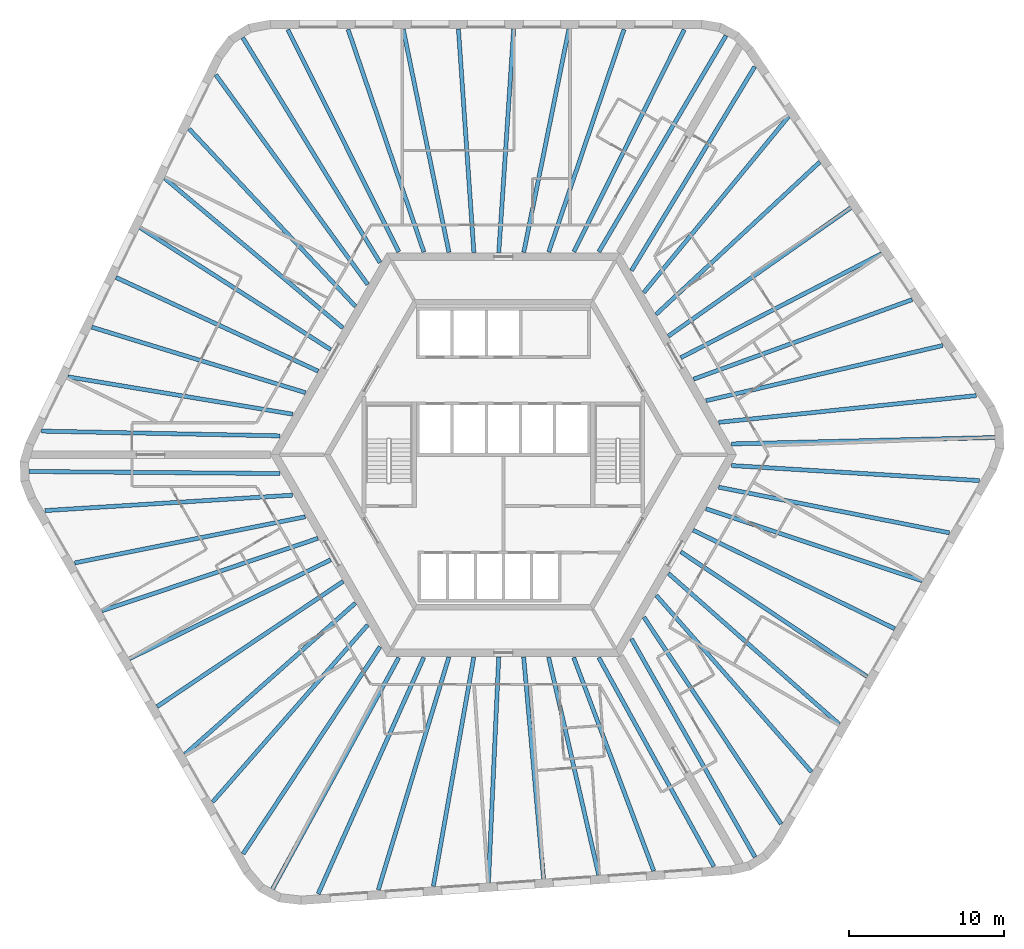
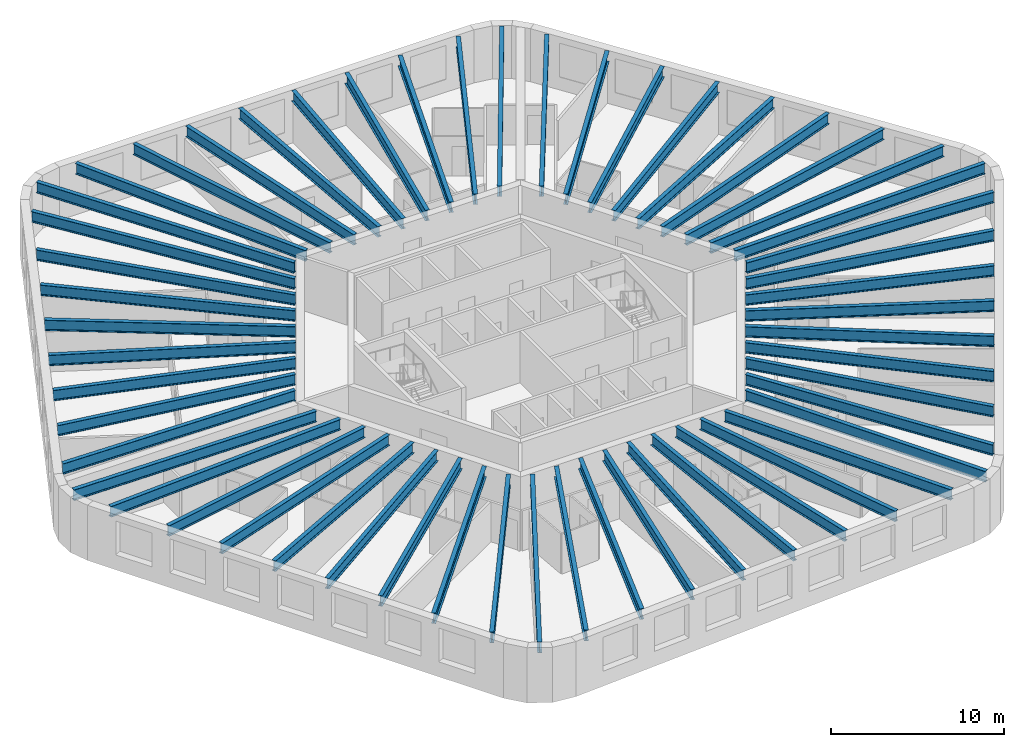
# One storey, part 1 of 10: 54 beams.
"""IFC4 building model written with IfcOpenShell, lengths in metres."""

from ifc_helpers import new_model, si_unit, direction, frame, origin, origin_2d, place, context, subcontext, project, spatial, i_section, extrude, material, material_profile, profile_set, type_object, element, save


model = new_model("IFC4")

# Units and contexts
model_context = context("Model", 3, precision=1e-05, world=origin(), true_north=direction((0.0, 1.0)))
body_context = subcontext(model_context, "Body", "Model", "MODEL_VIEW")
ifc_project = project(units=[si_unit("LENGTHUNIT", "METRE"), si_unit("AREAUNIT", "SQUARE_METRE"), si_unit("VOLUMEUNIT", "CUBIC_METRE"), si_unit("PLANEANGLEUNIT", "RADIAN"), si_unit("MASSUNIT", "GRAM", prefix="KILO")], contexts=[model_context])

# Site, building, storey
site_placement = place(None, origin())
site = spatial("IfcSite", under=ifc_project, at=site_placement, CompositionType="ELEMENT")
building_placement = place(site_placement, origin())
building = spatial("IfcBuilding", under=site, at=building_placement, Name="Tarnside Tower", CompositionType="ELEMENT")
storey_placement = place(building_placement, frame((0.0, 0.0, 160.5)))
storey = spatial("IfcBuildingStorey", under=building, at=storey_placement, Name="L37", CompositionType="ELEMENT", Elevation=160.5)

# Beams
ifc_material = material(Name="Steel S355", Category="steel")
ifc_material_profile_1 = material_profile(ifc_material, i_section(OverallWidth=0.26513671875, OverallDepth=0.75390625, WebThickness=0.0126953125, FlangeThickness=0.017578125, FilletRadius=0.0166015625, at=origin_2d()), Name="UB 762x267x147")
ifc_profile_set_1 = profile_set([ifc_material_profile_1], Name="Steel S355")
beam_type_1 = type_object("IfcBeamType", Name="Floor beam UB 762x267x147", PredefinedType="BEAM", material=ifc_profile_set_1)
beam_1_placement = place(storey_placement, frame((7.77001953125, 27.393310546875, 3.373046875), z_axis=(-0.320362579778, -0.947295000239, 0.0), x_axis=(0.947295000239, -0.320362579778, 0.0)))
element("IfcBeam", 1, at=beam_1_placement, inside=storey, type_object=beam_type_1, Name="Floor beam F1.02", PredefinedType="BEAM", context=body_context, shape_type="SweptSolid", body=[
    extrude(i_section(OverallWidth=0.26513671875, OverallDepth=0.75390625, WebThickness=0.0126953125, FlangeThickness=0.017578125, FilletRadius=0.0166015625, at=origin_2d()), origin(), (0.0, 0.0, 1.0), 15.134033203125),
])
beam_2_placement = place(storey_placement, frame((4.218505859375, 27.410888671875, 3.373046875), z_axis=(-0.19841777413, -0.980117537293, 0.0), x_axis=(0.980117537293, -0.19841777413, 0.0)))
element("IfcBeam", 2, at=beam_2_placement, inside=storey, type_object=beam_type_1, Name="Floor beam F1.03", PredefinedType="BEAM", context=body_context, shape_type="SweptSolid", body=[
    extrude(i_section(OverallWidth=0.26513671875, OverallDepth=0.75390625, WebThickness=0.0126953125, FlangeThickness=0.017578125, FilletRadius=0.0166015625, at=origin_2d()), origin(), (0.0, 0.0, 1.0), 14.6630859375),
])
beam_3_placement = place(storey_placement, frame((0.66259765625, 27.429931640625, 3.373046875), z_axis=(-0.066554914868, -0.997782763585, 0.0), x_axis=(0.997782763585, -0.066554914868, 0.0)))
element("IfcBeam", 3, at=beam_3_placement, inside=storey, type_object=beam_type_1, Name="Floor beam F1.04", PredefinedType="BEAM", context=body_context, shape_type="SweptSolid", body=[
    extrude(i_section(OverallWidth=0.26513671875, OverallDepth=0.75390625, WebThickness=0.0126953125, FlangeThickness=0.017578125, FilletRadius=0.0166015625, at=origin_2d()), origin(), (0.0, 0.0, 1.0), 14.44189453125),
])
beam_4_placement = place(storey_placement, frame((-2.8974609375, 27.429931640625, 3.373046875), z_axis=(0.068876921658, -0.997625164911, 0.0), x_axis=(0.997625164911, 0.068876921658, 0.0)))
element("IfcBeam", 4, at=beam_4_placement, inside=storey, type_object=beam_type_1, Name="Floor beam F1.05", PredefinedType="BEAM", context=body_context, shape_type="SweptSolid", body=[
    extrude(i_section(OverallWidth=0.26513671875, OverallDepth=0.75390625, WebThickness=0.0126953125, FlangeThickness=0.017578125, FilletRadius=0.0166015625, at=origin_2d()), origin(), (0.0, 0.0, 1.0), 14.4443359375),
])
beam_5_placement = place(storey_placement, frame((-6.45361328125, 27.410888671875, 3.373046875), z_axis=(0.200623497398, -0.979668419564, 0.0), x_axis=(0.979668419564, 0.200623497398, 0.0)))
element("IfcBeam", 5, at=beam_5_placement, inside=storey, type_object=beam_type_1, Name="Floor beam F1.06", PredefinedType="BEAM", context=body_context, shape_type="SweptSolid", body=[
    extrude(i_section(OverallWidth=0.26513671875, OverallDepth=0.75390625, WebThickness=0.0126953125, FlangeThickness=0.017578125, FilletRadius=0.0166015625, at=origin_2d()), origin(), (0.0, 0.0, 1.0), 14.669921875),
])
beam_6_placement = place(storey_placement, frame((-10.0048828125, 27.393310546875, 3.373046875), z_axis=(0.322343712034, -0.946622697442, 0.0), x_axis=(0.946622697442, 0.322343712034, 0.0)))
element("IfcBeam", 6, at=beam_6_placement, inside=storey, type_object=beam_type_1, Name="Floor beam F1.07", PredefinedType="BEAM", context=body_context, shape_type="SweptSolid", body=[
    extrude(i_section(OverallWidth=0.26513671875, OverallDepth=0.75390625, WebThickness=0.0126953125, FlangeThickness=0.017578125, FilletRadius=0.0166015625, at=origin_2d()), origin(), (0.0, 0.0, 1.0), 15.144775390625),
])
beam_7_placement = place(storey_placement, frame((-20.241455078125, 20.9892578125, 3.373046875), z_axis=(0.683752330283, -0.729714156936, 0.0), x_axis=(0.729714156936, 0.683752330283, 0.0)))
element("IfcBeam", 7, at=beam_7_placement, inside=storey, type_object=beam_type_1, Name="Floor beam F2.02", PredefinedType="BEAM", context=body_context, shape_type="SweptSolid", body=[
    extrude(i_section(OverallWidth=0.26513671875, OverallDepth=0.75390625, WebThickness=0.0126953125, FlangeThickness=0.017578125, FilletRadius=0.0166015625, at=origin_2d()), origin(), (0.0, 0.0, 1.0), 15.6591796875),
])
beam_8_placement = place(storey_placement, frame((-21.81396484375, 17.80419921875, 3.373046875), z_axis=(0.765948461073, -0.642901979294, 0.0), x_axis=(0.642901979294, 0.765948461073, 0.0)))
element("IfcBeam", 8, at=beam_8_placement, inside=storey, type_object=beam_type_1, Name="Floor beam F2.03", PredefinedType="BEAM", context=body_context, shape_type="SweptSolid", body=[
    extrude(i_section(OverallWidth=0.26513671875, OverallDepth=0.75390625, WebThickness=0.0126953125, FlangeThickness=0.017578125, FilletRadius=0.0166015625, at=origin_2d()), origin(), (0.0, 0.0, 1.0), 14.982177734375),
])
beam_9_placement = place(storey_placement, frame((-23.389892578125, 14.616455078125, 3.373046875), z_axis=(0.842378275633, -0.538886667808, 0.0), x_axis=(0.538886667808, 0.842378275633, 0.0)))
element("IfcBeam", 9, at=beam_9_placement, inside=storey, type_object=beam_type_1, Name="Floor beam F2.04", PredefinedType="BEAM", context=body_context, shape_type="SweptSolid", body=[
    extrude(i_section(OverallWidth=0.26513671875, OverallDepth=0.75390625, WebThickness=0.0126953125, FlangeThickness=0.017578125, FilletRadius=0.0166015625, at=origin_2d()), origin(), (0.0, 0.0, 1.0), 14.5595703125),
])
beam_10_placement = place(storey_placement, frame((-24.9501953125, 11.416748046875, 3.373046875), z_axis=(0.907310131748, -0.420462037321, 0.0), x_axis=(0.420462037321, 0.907310131748, 0.0)))
element("IfcBeam", 10, at=beam_10_placement, inside=storey, type_object=beam_type_1, Name="Floor beam F2.05", PredefinedType="BEAM", context=body_context, shape_type="SweptSolid", body=[
    extrude(i_section(OverallWidth=0.26513671875, OverallDepth=0.75390625, WebThickness=0.0126953125, FlangeThickness=0.017578125, FilletRadius=0.0166015625, at=origin_2d()), origin(), (0.0, 0.0, 1.0), 14.353515625),
])
beam_11_placement = place(storey_placement, frame((-26.510986328125, 8.2177734375, 3.373046875), z_axis=(0.956073348261, -0.293127536654, 0.0), x_axis=(0.293127536654, 0.956073348261, 0.0)))
element("IfcBeam", 11, at=beam_11_placement, inside=storey, type_object=beam_type_1, Name="Floor beam F2.06", PredefinedType="BEAM", context=body_context, shape_type="SweptSolid", body=[
    extrude(i_section(OverallWidth=0.26513671875, OverallDepth=0.75390625, WebThickness=0.0126953125, FlangeThickness=0.017578125, FilletRadius=0.0166015625, at=origin_2d()), origin(), (0.0, 0.0, 1.0), 14.3955078125),
])
beam_12_placement = place(storey_placement, frame((-28.0517578125, 5.015869140625, 3.373046875), z_axis=(0.986476498304, -0.163902770858, 0.0), x_axis=(0.163902770858, 0.986476498304, 0.0)))
element("IfcBeam", 12, at=beam_12_placement, inside=storey, type_object=beam_type_1, Name="Floor beam F2.07", PredefinedType="BEAM", context=body_context, shape_type="SweptSolid", body=[
    extrude(i_section(OverallWidth=0.26513671875, OverallDepth=0.75390625, WebThickness=0.0126953125, FlangeThickness=0.017578125, FilletRadius=0.0166015625, at=origin_2d()), origin(), (0.0, 0.0, 1.0), 14.680908203125),
])
beam_13_placement = place(storey_placement, frame((-29.73828125, 1.521484375, 3.373046875), z_axis=(0.999800142641, -0.019991867701, 0.0), x_axis=(0.019991867701, 0.999800142641, 0.0)))
element("IfcBeam", 13, at=beam_13_placement, inside=storey, type_object=beam_type_1, Name="Floor beam F2.08", PredefinedType="BEAM", context=body_context, shape_type="SweptSolid", body=[
    extrude(i_section(OverallWidth=0.26513671875, OverallDepth=0.75390625, WebThickness=0.0126953125, FlangeThickness=0.017578125, FilletRadius=0.0166015625, at=origin_2d()), origin(), (0.0, 0.0, 1.0), 15.3505859375),
])
beam_14_placement = place(storey_placement, frame((-27.608154296875, -6.967529296875, 3.373046875), z_axis=(0.980564540422, 0.196196794232, 0.0), x_axis=(-0.196196794232, 0.980564540422, 0.0)))
element("IfcBeam", 14, at=beam_14_placement, inside=storey, type_object=beam_type_1, Name="Floor beam F3.02", PredefinedType="BEAM", context=body_context, shape_type="SweptSolid", body=[
    extrude(i_section(OverallWidth=0.26513671875, OverallDepth=0.75390625, WebThickness=0.0126953125, FlangeThickness=0.017578125, FilletRadius=0.0166015625, at=origin_2d()), origin(), (0.0, 0.0, 1.0), 15.134033203125),
])
beam_15_placement = place(storey_placement, frame((-25.84765625, -10.052001953125, 3.373046875), z_axis=(0.948011835322, 0.31823507049, 0.0), x_axis=(-0.31823507049, 0.948011835322, 0.0)))
element("IfcBeam", 15, at=beam_15_placement, inside=storey, type_object=beam_type_1, Name="Floor beam F3.03", PredefinedType="BEAM", context=body_context, shape_type="SweptSolid", body=[
    extrude(i_section(OverallWidth=0.26513671875, OverallDepth=0.75390625, WebThickness=0.0126953125, FlangeThickness=0.017578125, FilletRadius=0.0166015625, at=origin_2d()), origin(), (0.0, 0.0, 1.0), 14.662841796875),
])
beam_16_placement = place(storey_placement, frame((-24.086181640625, -13.141357421875, 3.373046875), z_axis=(0.897375974806, 0.441266767206, 0.0), x_axis=(-0.441266767206, 0.897375974806, 0.0)))
element("IfcBeam", 16, at=beam_16_placement, inside=storey, type_object=beam_type_1, Name="Floor beam F3.04", PredefinedType="BEAM", context=body_context, shape_type="SweptSolid", body=[
    extrude(i_section(OverallWidth=0.26513671875, OverallDepth=0.75390625, WebThickness=0.0126953125, FlangeThickness=0.017578125, FilletRadius=0.0166015625, at=origin_2d()), origin(), (0.0, 0.0, 1.0), 14.442138671875),
])
beam_17_placement = place(storey_placement, frame((-22.306396484375, -16.224365234375, 3.373046875), z_axis=(0.829532486243, 0.558458462437, 0.0), x_axis=(-0.558458462437, 0.829532486243, 0.0)))
element("IfcBeam", 17, at=beam_17_placement, inside=storey, type_object=beam_type_1, Name="Floor beam F3.05", PredefinedType="BEAM", context=body_context, shape_type="SweptSolid", body=[
    extrude(i_section(OverallWidth=0.26513671875, OverallDepth=0.75390625, WebThickness=0.0126953125, FlangeThickness=0.017578125, FilletRadius=0.0166015625, at=origin_2d()), origin(), (0.0, 0.0, 1.0), 14.444580078125),
])
beam_18_placement = place(storey_placement, frame((-20.51171875, -19.294189453125, 3.373046875), z_axis=(0.74811408094, 0.663570133369, 0.0), x_axis=(-0.663570133369, 0.74811408094, 0.0)))
element("IfcBeam", 18, at=beam_18_placement, inside=storey, type_object=beam_type_1, Name="Floor beam F3.06", PredefinedType="BEAM", context=body_context, shape_type="SweptSolid", body=[
    extrude(i_section(OverallWidth=0.26513671875, OverallDepth=0.75390625, WebThickness=0.0126953125, FlangeThickness=0.017578125, FilletRadius=0.0166015625, at=origin_2d()), origin(), (0.0, 0.0, 1.0), 14.669677734375),
])
beam_19_placement = place(storey_placement, frame((-18.720703125, -22.361083984375, 3.373046875), z_axis=(0.658621010302, 0.752474826681, 0.0), x_axis=(-0.752474826681, 0.658621010302, 0.0)))
element("IfcBeam", 19, at=beam_19_placement, inside=storey, type_object=beam_type_1, Name="Floor beam F3.07", PredefinedType="BEAM", context=body_context, shape_type="SweptSolid", body=[
    extrude(i_section(OverallWidth=0.26513671875, OverallDepth=0.75390625, WebThickness=0.0126953125, FlangeThickness=0.017578125, FilletRadius=0.0166015625, at=origin_2d()), origin(), (0.0, 0.0, 1.0), 15.144775390625),
])
beam_20_placement = place(storey_placement, frame((-8.056396484375, -28.024169921875, 3.373046875), z_axis=(0.290070138838, 0.957005388989, 0.0), x_axis=(-0.957005388989, 0.290070138838, 0.0)))
element("IfcBeam", 20, at=beam_20_placement, inside=storey, type_object=beam_type_1, Name="Floor beam F4.02", PredefinedType="BEAM", context=body_context, shape_type="SweptSolid", body=[
    extrude(i_section(OverallWidth=0.26513671875, OverallDepth=0.75390625, WebThickness=0.0126953125, FlangeThickness=0.017578125, FilletRadius=0.0166015625, at=origin_2d()), origin(), (0.0, 0.0, 1.0), 15.6591796875),
])
beam_21_placement = place(storey_placement, frame((-4.511962890625, -27.793701171875, 3.373046875), z_axis=(0.173788122681, 0.984783066678, 0.0), x_axis=(-0.984783066678, 0.173788122681, 0.0)))
element("IfcBeam", 21, at=beam_21_placement, inside=storey, type_object=beam_type_1, Name="Floor beam F4.03", PredefinedType="BEAM", context=body_context, shape_type="SweptSolid", body=[
    extrude(i_section(OverallWidth=0.26513671875, OverallDepth=0.75390625, WebThickness=0.0126953125, FlangeThickness=0.017578125, FilletRadius=0.0166015625, at=origin_2d()), origin(), (0.0, 0.0, 1.0), 14.982421875),
])
beam_22_placement = place(storey_placement, frame((-0.96337890625, -27.564453125, 3.373046875), z_axis=(0.045509585226, 0.998963902077, 0.0), x_axis=(-0.998963902077, 0.045509585226, 0.0)))
element("IfcBeam", 22, at=beam_22_placement, inside=storey, type_object=beam_type_1, Name="Floor beam F4.04", PredefinedType="BEAM", context=body_context, shape_type="SweptSolid", body=[
    extrude(i_section(OverallWidth=0.26513671875, OverallDepth=0.75390625, WebThickness=0.0126953125, FlangeThickness=0.017578125, FilletRadius=0.0166015625, at=origin_2d()), origin(), (0.0, 0.0, 1.0), 14.5595703125),
])
beam_23_placement = place(storey_placement, frame((2.587890625, -27.31591796875, 3.373046875), z_axis=(-0.089518916897, 0.995985122137, 0.0), x_axis=(-0.995985122137, -0.089518916897, 0.0)))
element("IfcBeam", 23, at=beam_23_placement, inside=storey, type_object=beam_type_1, Name="Floor beam F4.05", PredefinedType="BEAM", context=body_context, shape_type="SweptSolid", body=[
    extrude(i_section(OverallWidth=0.26513671875, OverallDepth=0.75390625, WebThickness=0.0126953125, FlangeThickness=0.017578125, FilletRadius=0.0166015625, at=origin_2d()), origin(), (0.0, 0.0, 1.0), 14.353515625),
])
beam_24_placement = place(storey_placement, frame((6.138671875, -27.068115234375, 3.373046875), z_axis=(-0.224188122435, 0.974545886944, 0.0), x_axis=(-0.974545886944, -0.224188122435, 0.0)))
element("IfcBeam", 24, at=beam_24_placement, inside=storey, type_object=beam_type_1, Name="Floor beam F4.06", PredefinedType="BEAM", context=body_context, shape_type="SweptSolid", body=[
    extrude(i_section(OverallWidth=0.26513671875, OverallDepth=0.75390625, WebThickness=0.0126953125, FlangeThickness=0.017578125, FilletRadius=0.0166015625, at=origin_2d()), origin(), (0.0, 0.0, 1.0), 14.3955078125),
])
beam_25_placement = place(storey_placement, frame((9.681884765625, -26.801513671875, 3.373046875), z_axis=(-0.351271055087, 0.936273809234, 0.0), x_axis=(-0.936273809234, -0.351271055087, 0.0)))
element("IfcBeam", 25, at=beam_25_placement, inside=storey, type_object=beam_type_1, Name="Floor beam F4.07", PredefinedType="BEAM", context=body_context, shape_type="SweptSolid", body=[
    extrude(i_section(OverallWidth=0.26513671875, OverallDepth=0.75390625, WebThickness=0.0126953125, FlangeThickness=0.017578125, FilletRadius=0.0166015625, at=origin_2d()), origin(), (0.0, 0.0, 1.0), 14.680908203125),
])
beam_26_placement = place(storey_placement, frame((13.551513671875, -26.514892578125, 3.373046875), z_axis=(-0.482584088089, 0.875849643445, 0.0), x_axis=(-0.875849643445, -0.482584088089, 0.0)))
element("IfcBeam", 26, at=beam_26_placement, inside=storey, type_object=beam_type_1, Name="Floor beam F4.08", PredefinedType="BEAM", context=body_context, shape_type="SweptSolid", body=[
    extrude(i_section(OverallWidth=0.26513671875, OverallDepth=0.75390625, WebThickness=0.0126953125, FlangeThickness=0.017578125, FilletRadius=0.0166015625, at=origin_2d()), origin(), (0.0, 0.0, 1.0), 15.3505859375),
])
beam_27_placement = place(storey_placement, frame((19.838134765625, -20.425537109375, 3.373046875), z_axis=(-0.660201214512, 0.751088780609, 0.0), x_axis=(-0.751088780609, -0.660201214512, 0.0)))
element("IfcBeam", 27, at=beam_27_placement, inside=storey, type_object=beam_type_1, Name="Floor beam F5.02", PredefinedType="BEAM", context=body_context, shape_type="SweptSolid", body=[
    extrude(i_section(OverallWidth=0.26513671875, OverallDepth=0.75390625, WebThickness=0.0126953125, FlangeThickness=0.017578125, FilletRadius=0.0166015625, at=origin_2d()), origin(), (0.0, 0.0, 1.0), 15.134033203125),
])
beam_28_placement = place(storey_placement, frame((21.629150390625, -17.358642578125, 3.373046875), z_axis=(-0.749601662028, 0.661889226597, 0.0), x_axis=(-0.661889226597, -0.749601662028, 0.0)))
element("IfcBeam", 28, at=beam_28_placement, inside=storey, type_object=beam_type_1, Name="Floor beam F5.03", PredefinedType="BEAM", context=body_context, shape_type="SweptSolid", body=[
    extrude(i_section(OverallWidth=0.26513671875, OverallDepth=0.75390625, WebThickness=0.0126953125, FlangeThickness=0.017578125, FilletRadius=0.0166015625, at=origin_2d()), origin(), (0.0, 0.0, 1.0), 14.6630859375),
])
beam_29_placement = place(storey_placement, frame((23.423828125, -14.288818359375, 3.373046875), z_axis=(-0.830825943553, 0.556532345439, 0.0), x_axis=(-0.556532345439, -0.830825943553, 0.0)))
element("IfcBeam", 29, at=beam_29_placement, inside=storey, type_object=beam_type_1, Name="Floor beam F5.04", PredefinedType="BEAM", context=body_context, shape_type="SweptSolid", body=[
    extrude(i_section(OverallWidth=0.26513671875, OverallDepth=0.75390625, WebThickness=0.0126953125, FlangeThickness=0.017578125, FilletRadius=0.0166015625, at=origin_2d()), origin(), (0.0, 0.0, 1.0), 14.4423828125),
])
beam_30_placement = place(storey_placement, frame((25.203857421875, -11.205810546875, 3.373046875), z_axis=(-0.898407034897, 0.43916375038, 0.0), x_axis=(-0.43916375038, -0.898407034897, 0.0)))
element("IfcBeam", 30, at=beam_30_placement, inside=storey, type_object=beam_type_1, Name="Floor beam F5.05", PredefinedType="BEAM", context=body_context, shape_type="SweptSolid", body=[
    extrude(i_section(OverallWidth=0.26513671875, OverallDepth=0.75390625, WebThickness=0.0126953125, FlangeThickness=0.017578125, FilletRadius=0.0166015625, at=origin_2d()), origin(), (0.0, 0.0, 1.0), 14.444580078125),
])
beam_31_placement = place(storey_placement, frame((26.965087890625, -8.116455078125, 3.373046875), z_axis=(-0.948728223501, 0.31609295774, 0.0), x_axis=(-0.31609295774, -0.948728223501, 0.0)))
element("IfcBeam", 31, at=beam_31_placement, inside=storey, type_object=beam_type_1, Name="Floor beam F5.06", PredefinedType="BEAM", context=body_context, shape_type="SweptSolid", body=[
    extrude(i_section(OverallWidth=0.26513671875, OverallDepth=0.75390625, WebThickness=0.0126953125, FlangeThickness=0.017578125, FilletRadius=0.0166015625, at=origin_2d()), origin(), (0.0, 0.0, 1.0), 14.669677734375),
])
beam_32_placement = place(storey_placement, frame((28.7255859375, -5.031982421875, 3.373046875), z_axis=(-0.980974250646, 0.194137888034, 0.0), x_axis=(-0.194137888034, -0.980974250646, 0.0)))
element("IfcBeam", 32, at=beam_32_placement, inside=storey, type_object=beam_type_1, Name="Floor beam F5.07", PredefinedType="BEAM", context=body_context, shape_type="SweptSolid", body=[
    extrude(i_section(OverallWidth=0.26513671875, OverallDepth=0.75390625, WebThickness=0.0126953125, FlangeThickness=0.017578125, FilletRadius=0.0166015625, at=origin_2d()), origin(), (0.0, 0.0, 1.0), 15.144775390625),
])
beam_33_placement = place(storey_placement, frame((28.2978515625, 7.034912109375, 3.373046875), z_axis=(-0.973828212928, -0.227285309042, 0.0), x_axis=(0.227285309042, -0.973828212928, 0.0)))
element("IfcBeam", 33, at=beam_33_placement, inside=storey, type_object=beam_type_1, Name="Floor beam F6.02", PredefinedType="BEAM", context=body_context, shape_type="SweptSolid", body=[
    extrude(i_section(OverallWidth=0.26513671875, OverallDepth=0.75390625, WebThickness=0.0126953125, FlangeThickness=0.017578125, FilletRadius=0.0166015625, at=origin_2d()), origin(), (0.0, 0.0, 1.0), 15.6591796875),
])
beam_34_placement = place(storey_placement, frame((26.325927734375, 9.989501953125, 3.373046875), z_axis=(-0.939738697004, -0.341893523415, 0.0), x_axis=(0.341893523415, -0.939738697004, 0.0)))
element("IfcBeam", 34, at=beam_34_placement, inside=storey, type_object=beam_type_1, Name="Floor beam F6.03", PredefinedType="BEAM", context=body_context, shape_type="SweptSolid", body=[
    extrude(i_section(OverallWidth=0.26513671875, OverallDepth=0.75390625, WebThickness=0.0126953125, FlangeThickness=0.017578125, FilletRadius=0.0166015625, at=origin_2d()), origin(), (0.0, 0.0, 1.0), 14.982177734375),
])
beam_35_placement = place(storey_placement, frame((24.353271484375, 12.947998046875, 3.373046875), z_axis=(-0.887881646639, -0.460071930856, 0.0), x_axis=(0.460071930856, -0.887881646639, 0.0)))
element("IfcBeam", 35, at=beam_35_placement, inside=storey, type_object=beam_type_1, Name="Floor beam F6.04", PredefinedType="BEAM", context=body_context, shape_type="SweptSolid", body=[
    extrude(i_section(OverallWidth=0.26513671875, OverallDepth=0.75390625, WebThickness=0.0126953125, FlangeThickness=0.017578125, FilletRadius=0.0166015625, at=origin_2d()), origin(), (0.0, 0.0, 1.0), 14.5595703125),
])
beam_36_placement = place(storey_placement, frame((22.3623046875, 15.899169921875, 3.373046875), z_axis=(-0.817791001708, -0.575515314762, 0.0), x_axis=(0.575515314762, -0.817791001708, 0.0)))
element("IfcBeam", 36, at=beam_36_placement, inside=storey, type_object=beam_type_1, Name="Floor beam F6.05", PredefinedType="BEAM", context=body_context, shape_type="SweptSolid", body=[
    extrude(i_section(OverallWidth=0.26513671875, OverallDepth=0.75390625, WebThickness=0.0126953125, FlangeThickness=0.017578125, FilletRadius=0.0166015625, at=origin_2d()), origin(), (0.0, 0.0, 1.0), 14.353759765625),
])
beam_37_placement = place(storey_placement, frame((20.372314453125, 18.850341796875, 3.373046875), z_axis=(-0.731892224456, -0.681420407517, 0.0), x_axis=(0.681420407517, -0.731892224456, 0.0)))
element("IfcBeam", 37, at=beam_37_placement, inside=storey, type_object=beam_type_1, Name="Floor beam F6.06", PredefinedType="BEAM", context=body_context, shape_type="SweptSolid", body=[
    extrude(i_section(OverallWidth=0.26513671875, OverallDepth=0.75390625, WebThickness=0.0126953125, FlangeThickness=0.017578125, FilletRadius=0.0166015625, at=origin_2d()), origin(), (0.0, 0.0, 1.0), 14.3955078125),
])
beam_38_placement = place(storey_placement, frame((18.369873046875, 21.78564453125, 3.373046875), z_axis=(-0.635191827457, -0.772354414975, 0.0), x_axis=(0.772354414975, -0.635191827457, 0.0)))
element("IfcBeam", 38, at=beam_38_placement, inside=storey, type_object=beam_type_1, Name="Floor beam F6.07", PredefinedType="BEAM", context=body_context, shape_type="SweptSolid", body=[
    extrude(i_section(OverallWidth=0.26513671875, OverallDepth=0.75390625, WebThickness=0.0126953125, FlangeThickness=0.017578125, FilletRadius=0.0166015625, at=origin_2d()), origin(), (0.0, 0.0, 1.0), 14.680908203125),
])
beam_39_placement = place(storey_placement, frame((16.186767578125, 24.993408203125, 3.373046875), z_axis=(-0.517208605106, -0.855859368591, 0.0), x_axis=(0.855859368591, -0.517208605106, 0.0)))
element("IfcBeam", 39, at=beam_39_placement, inside=storey, type_object=beam_type_1, Name="Floor beam F6.08", PredefinedType="BEAM", context=body_context, shape_type="SweptSolid", body=[
    extrude(i_section(OverallWidth=0.26513671875, OverallDepth=0.75390625, WebThickness=0.0126953125, FlangeThickness=0.017578125, FilletRadius=0.0166015625, at=origin_2d()), origin(), (0.0, 0.0, 1.0), 15.3505859375),
])
ifc_material_profile_2 = material_profile(ifc_material, i_section(OverallWidth=0.2666015625, OverallDepth=0.76220703125, WebThickness=0.014404296875, FlangeThickness=0.021484375, FilletRadius=0.0166015625, at=origin_2d()), Name="UB 762x267x173")
ifc_profile_set_2 = profile_set([ifc_material_profile_2], Name="Steel S355")
beam_type_2 = type_object("IfcBeamType", Name="Floor beam UB 762x267x173", PredefinedType="BEAM", material=ifc_profile_set_2)
beam_40_placement = place(storey_placement, frame((11.6494140625, 27.37841796875, 3.368896484375), z_axis=(-0.445042310328, -0.895509543231, 0.0), x_axis=(0.895509543231, -0.445042310328, 0.0)))
element("IfcBeam", 40, at=beam_40_placement, inside=storey, type_object=beam_type_2, Name="Floor beam F1.01", PredefinedType="BEAM", context=body_context, shape_type="SweptSolid", body=[
    extrude(i_section(OverallWidth=0.2666015625, OverallDepth=0.76220703125, WebThickness=0.014404296875, FlangeThickness=0.021484375, FilletRadius=0.0166015625, at=origin_2d()), origin(), (0.0, 0.0, 1.0), 15.976318359375),
])
beam_41_placement = place(storey_placement, frame((-13.884521484375, 27.37841796875, 3.368896484375), z_axis=(0.44673108957, -0.894668281326, 0.0), x_axis=(0.894668281326, 0.44673108957, 0.0)))
element("IfcBeam", 41, at=beam_41_placement, inside=storey, type_object=beam_type_2, Name="Floor beam F1.08", PredefinedType="BEAM", context=body_context, shape_type="SweptSolid", body=[
    extrude(i_section(OverallWidth=0.2666015625, OverallDepth=0.76220703125, WebThickness=0.014404296875, FlangeThickness=0.021484375, FilletRadius=0.0166015625, at=origin_2d()), origin(), (0.0, 0.0, 1.0), 15.9912109375),
])
beam_42_placement = place(storey_placement, frame((-16.79345703125, 26.86962890625, 3.368896484375), z_axis=(0.520940467881, -0.853593011291, 0.0), x_axis=(0.853593011291, 0.520940467881, 0.0)))
element("IfcBeam", 42, at=beam_42_placement, inside=storey, type_object=beam_type_2, Name="Floor beam C1", PredefinedType="BEAM", context=body_context, shape_type="SweptSolid", body=[
    extrude(i_section(OverallWidth=0.2666015625, OverallDepth=0.76220703125, WebThickness=0.014404296875, FlangeThickness=0.021484375, FilletRadius=0.0166015625, at=origin_2d()), origin(), (0.0, 0.0, 1.0), 16.980712890625),
])
beam_43_placement = place(storey_placement, frame((-18.52685546875, 24.471435546875, 3.368896484375), z_axis=(0.586791943415, -0.80973774467, 0.0), x_axis=(0.80973774467, 0.586791943415, 0.0)))
element("IfcBeam", 43, at=beam_43_placement, inside=storey, type_object=beam_type_2, Name="Floor beam F2.01", PredefinedType="BEAM", context=body_context, shape_type="SweptSolid", body=[
    extrude(i_section(OverallWidth=0.2666015625, OverallDepth=0.76220703125, WebThickness=0.014404296875, FlangeThickness=0.021484375, FilletRadius=0.0166015625, at=origin_2d()), origin(), (0.0, 0.0, 1.0), 16.67578125),
])
beam_44_placement = place(storey_placement, frame((-30.543212890625, -1.079345703125, 3.368896484375), z_axis=(0.999966072652, -0.008237326324, 0.0), x_axis=(0.008237326324, 0.999966072652, 0.0)))
element("IfcBeam", 44, at=beam_44_placement, inside=storey, type_object=beam_type_2, Name="Floor beam C2", PredefinedType="BEAM", context=body_context, shape_type="SweptSolid", body=[
    extrude(i_section(OverallWidth=0.2666015625, OverallDepth=0.76220703125, WebThickness=0.014404296875, FlangeThickness=0.021484375, FilletRadius=0.0166015625, at=origin_2d()), origin(), (0.0, 0.0, 1.0), 16.15283203125),
])
beam_45_placement = place(storey_placement, frame((-29.534912109375, -3.6005859375, 3.368896484375), z_axis=(0.99805531279, 0.062334521832, 0.0), x_axis=(-0.062334521832, 0.99805531279, 0.0)))
element("IfcBeam", 45, at=beam_45_placement, inside=storey, type_object=beam_type_2, Name="Floor beam F3.01", PredefinedType="BEAM", context=body_context, shape_type="SweptSolid", body=[
    extrude(i_section(OverallWidth=0.2666015625, OverallDepth=0.76220703125, WebThickness=0.014404296875, FlangeThickness=0.021484375, FilletRadius=0.0166015625, at=origin_2d()), origin(), (0.0, 0.0, 1.0), 15.975830078125),
])
beam_46_placement = place(storey_placement, frame((-16.768310546875, -25.71337890625, 3.368896484375), z_axis=(0.551447600123, 0.834209532623, 0.0), x_axis=(-0.834209532623, 0.551447600123, 0.0)))
element("IfcBeam", 46, at=beam_46_placement, inside=storey, type_object=beam_type_2, Name="Floor beam F3.08", PredefinedType="BEAM", context=body_context, shape_type="SweptSolid", body=[
    extrude(i_section(OverallWidth=0.2666015625, OverallDepth=0.76220703125, WebThickness=0.014404296875, FlangeThickness=0.021484375, FilletRadius=0.0166015625, at=origin_2d()), origin(), (0.0, 0.0, 1.0), 15.9912109375),
])
beam_47_placement = place(storey_placement, frame((-14.873046875, -27.978515625, 3.368896484375), z_axis=(0.478767512404, 0.877941723047, 0.0), x_axis=(-0.877941723047, 0.478767512404, 0.0)))
element("IfcBeam", 47, at=beam_47_placement, inside=storey, type_object=beam_type_2, Name="Floor beam C3", PredefinedType="BEAM", context=body_context, shape_type="SweptSolid", body=[
    extrude(i_section(OverallWidth=0.2666015625, OverallDepth=0.76220703125, WebThickness=0.014404296875, FlangeThickness=0.021484375, FilletRadius=0.0166015625, at=origin_2d()), origin(), (0.0, 0.0, 1.0), 16.98095703125),
])
beam_48_placement = place(storey_placement, frame((-11.929443359375, -28.280517578125, 3.368896484375), z_axis=(0.407852035629, 0.913048036542, 0.0), x_axis=(-0.913048036542, 0.407852035629, 0.0)))
element("IfcBeam", 48, at=beam_48_placement, inside=storey, type_object=beam_type_2, Name="Floor beam F4.01", PredefinedType="BEAM", context=body_context, shape_type="SweptSolid", body=[
    extrude(i_section(OverallWidth=0.2666015625, OverallDepth=0.76220703125, WebThickness=0.014404296875, FlangeThickness=0.021484375, FilletRadius=0.0166015625, at=origin_2d()), origin(), (0.0, 0.0, 1.0), 16.67578125),
])
beam_49_placement = place(storey_placement, frame((16.206298828125, -25.91162109375, 3.368896484375), z_axis=(-0.492847437034, 0.870115741616, 0.0), x_axis=(-0.870115741616, -0.492847437034, 0.0)))
element("IfcBeam", 49, at=beam_49_placement, inside=storey, type_object=beam_type_2, Name="Floor beam C4", PredefinedType="BEAM", context=body_context, shape_type="SweptSolid", body=[
    extrude(i_section(OverallWidth=0.2666015625, OverallDepth=0.76220703125, WebThickness=0.014404296875, FlangeThickness=0.021484375, FilletRadius=0.0166015625, at=origin_2d()), origin(), (0.0, 0.0, 1.0), 16.15283203125),
])
beam_50_placement = place(storey_placement, frame((17.8857421875, -23.77783203125, 3.368896484375), z_axis=(-0.553013371197, 0.833172377889, 0.0), x_axis=(-0.833172377889, -0.553013371197, 0.0)))
element("IfcBeam", 50, at=beam_50_placement, inside=storey, type_object=beam_type_2, Name="Floor beam F5.01", PredefinedType="BEAM", context=body_context, shape_type="SweptSolid", body=[
    extrude(i_section(OverallWidth=0.2666015625, OverallDepth=0.76220703125, WebThickness=0.014404296875, FlangeThickness=0.021484375, FilletRadius=0.0166015625, at=origin_2d()), origin(), (0.0, 0.0, 1.0), 15.97607421875),
])
beam_51_placement = place(storey_placement, frame((30.652587890625, -1.6650390625, 3.368896484375), z_axis=(-0.998170730858, 0.060458184371, 0.0), x_axis=(-0.060458184371, -0.998170730858, 0.0)))
element("IfcBeam", 51, at=beam_51_placement, inside=storey, type_object=beam_type_2, Name="Floor beam F5.08", PredefinedType="BEAM", context=body_context, shape_type="SweptSolid", body=[
    extrude(i_section(OverallWidth=0.2666015625, OverallDepth=0.76220703125, WebThickness=0.014404296875, FlangeThickness=0.021484375, FilletRadius=0.0166015625, at=origin_2d()), origin(), (0.0, 0.0, 1.0), 15.9912109375),
])
beam_52_placement = place(storey_placement, frame((31.66650390625, 1.108642578125, 3.368896484375), z_axis=(-0.999703706976, -0.024341287118, 0.0), x_axis=(0.024341287118, -0.999703706976, 0.0)))
element("IfcBeam", 52, at=beam_52_placement, inside=storey, type_object=beam_type_2, Name="Floor beam C5", PredefinedType="BEAM", context=body_context, shape_type="SweptSolid", body=[
    extrude(i_section(OverallWidth=0.2666015625, OverallDepth=0.76220703125, WebThickness=0.014404296875, FlangeThickness=0.021484375, FilletRadius=0.0166015625, at=origin_2d()), origin(), (0.0, 0.0, 1.0), 16.980712890625),
])
beam_53_placement = place(storey_placement, frame((30.456298828125, 3.80908203125, 3.368896484375), z_axis=(-0.994648352349, -0.103318222829, 0.0), x_axis=(0.103318222829, -0.994648352349, 0.0)))
element("IfcBeam", 53, at=beam_53_placement, inside=storey, type_object=beam_type_2, Name="Floor beam F6.01", PredefinedType="BEAM", context=body_context, shape_type="SweptSolid", body=[
    extrude(i_section(OverallWidth=0.2666015625, OverallDepth=0.76220703125, WebThickness=0.014404296875, FlangeThickness=0.021484375, FilletRadius=0.0166015625, at=origin_2d()), origin(), (0.0, 0.0, 1.0), 16.67578125),
])
beam_54_placement = place(storey_placement, frame((14.3369140625, 26.990966796875, 3.368896484375), z_axis=(-0.507115238706, -0.861878259775, 0.0), x_axis=(0.861878259775, -0.507115238706, 0.0)))
element("IfcBeam", 54, at=beam_54_placement, inside=storey, type_object=beam_type_2, Name="Floor beam C6", PredefinedType="BEAM", context=body_context, shape_type="SweptSolid", body=[
    extrude(i_section(OverallWidth=0.2666015625, OverallDepth=0.76220703125, WebThickness=0.014404296875, FlangeThickness=0.021484375, FilletRadius=0.0166015625, at=origin_2d()), origin(), (0.0, 0.0, 1.0), 16.15283203125),
])

save(model, "model.ifc")
